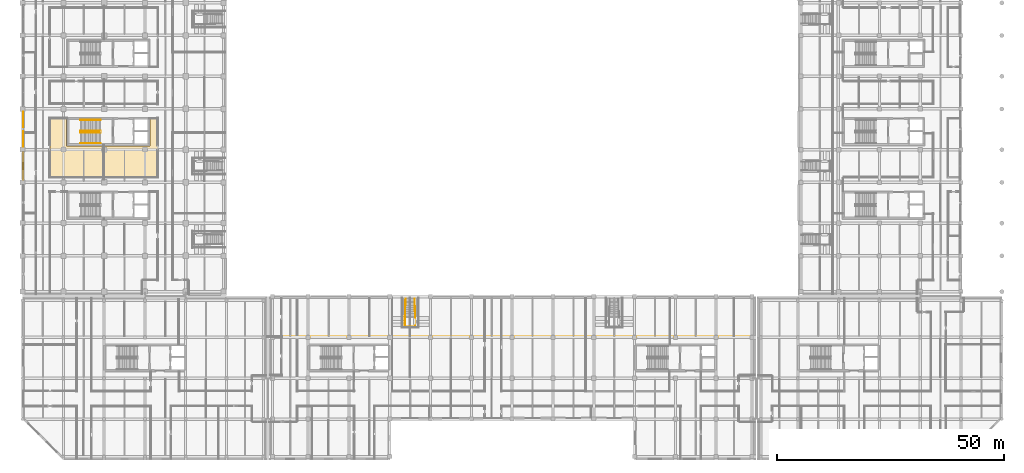
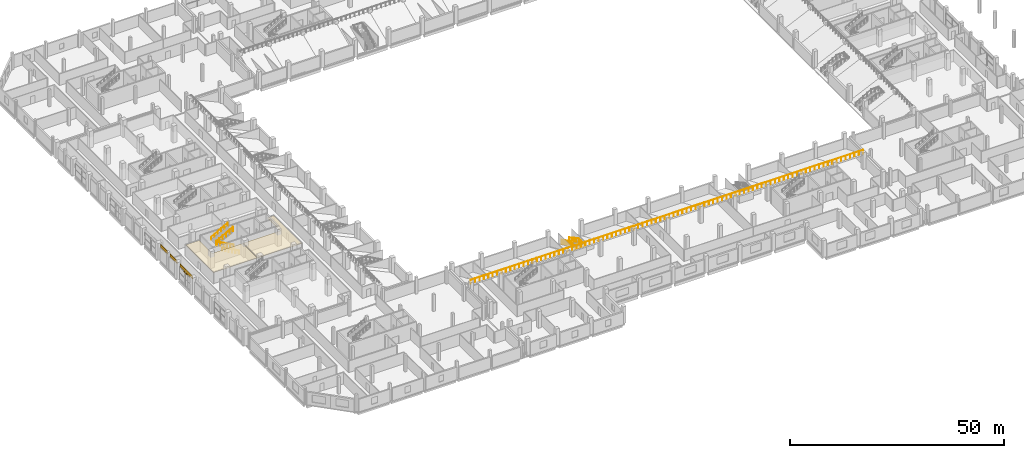
# One storey, part 80 of 100: 5 coverings, 5 railings, 1 shading device.
"""IFC4 building model written with IfcOpenShell, lengths in metres."""

from ifc_helpers import new_model, si_unit, direction, frame, origin, origin_2d, place, context, subcontext, project, spatial, polyline, rectangle, circle, outline, extrude, material, layer, layer_set, type_object, element, save


model = new_model("IFC4")

# Units and contexts
model_context = context("Model", 3, precision=1e-05, world=origin(), true_north=direction((0.0, 1.0)))
body_context = subcontext(model_context, "Body", "Model", "MODEL_VIEW")
ifc_project = project(units=[si_unit("LENGTHUNIT", "METRE"), si_unit("AREAUNIT", "SQUARE_METRE"), si_unit("VOLUMEUNIT", "CUBIC_METRE"), si_unit("PLANEANGLEUNIT", "RADIAN"), si_unit("MASSUNIT", "GRAM", prefix="KILO"), si_unit("THERMODYNAMICTEMPERATUREUNIT", "KELVIN"), si_unit("POWERUNIT", "WATT")], contexts=[model_context])

# Site, building, storey
site_placement = place(None, origin())
site = spatial("IfcSite", under=ifc_project, at=site_placement, CompositionType="ELEMENT")
building_placement = place(site_placement, origin())
building = spatial("IfcBuilding", under=site, at=building_placement, Name="Sindhuravela Promenade Stadium", CompositionType="ELEMENT")
storey_placement = place(building_placement, frame((0.0, 0.0, 4.800048828125)))
storey = spatial("IfcBuildingStorey", under=building, at=storey_placement, Name="L01", CompositionType="ELEMENT", Elevation=4.800048828125)

# Coverings
ifc_material_1 = material(Name="Acoustic mineral-fibre ceiling tile", Category="gypsum")
ifc_layer_1 = layer(ifc_material_1, 0.044921875)
ifc_layer_set_1 = layer_set([ifc_layer_1], Name="Acoustic mineral-fibre ceiling tile")
covering_type_1 = type_object("IfcCoveringType", Name="CV-CEIL-2", PredefinedType="CEILING", material=ifc_layer_set_1)
covering_1_placement = place(storey_placement, frame((0.0, 0.0, 3.050048828125)))
element("IfcCovering", 1, at=covering_1_placement, inside=storey, type_object=covering_type_1, Name="Acoustic ceiling Supporters Refreshment Kiosk W2 4", PredefinedType="CEILING", context=body_context, shape_type="SweptSolid", body=[
    extrude(outline(polyline([(6.0400390625, 62.27001953125), (6.0380859375, 62.27001953125), (6.0361328125, 62.2705078125), (6.0341796875, 62.27099609375), (6.0322265625, 62.271484375), (6.030517578125, 62.2724609375), (6.02880859375, 62.2734375), (6.02734375, 62.2744140625), (6.02587890625, 62.27587890625), (6.0244140625, 62.27734375), (6.0234375, 62.27880859375), (6.0224609375, 62.280517578125), (6.021484375, 62.2822265625), (6.02099609375, 62.2841796875), (6.0205078125, 62.2861328125), (6.02001953125, 62.2880859375), (6.02001953125, 62.2900390625), (6.02001953125, 75.31005859375), (6.02001953125, 75.31201171875), (6.0205078125, 75.31396484375), (6.02099609375, 75.31591796875), (6.021484375, 75.317626953125), (6.0224609375, 75.3193359375), (6.0234375, 75.321044921875), (6.0244140625, 75.32275390625), (6.02587890625, 75.32421875), (6.02734375, 75.325439453125), (6.02880859375, 75.32666015625), (6.030517578125, 75.32763671875), (6.0322265625, 75.32861328125), (6.0341796875, 75.3291015625), (6.0361328125, 75.32958984375), (6.0380859375, 75.329833984375), (6.0400390625, 75.330078125), (9.699951171875, 75.330078125), (9.701904296875, 75.329833984375), (9.703857421875, 75.32958984375), (9.705810546875, 75.3291015625), (9.707763671875, 75.32861328125), (9.70947265625, 75.32763671875), (9.711181640625, 75.32666015625), (9.712646484375, 75.325439453125), (9.714111328125, 75.32421875), (9.715576171875, 75.32275390625), (9.716552734375, 75.321044921875), (9.717529296875, 75.3193359375), (9.718505859375, 75.317626953125), (9.718994140625, 75.31591796875), (9.719482421875, 75.31396484375), (9.719970703125, 75.31201171875), (9.719970703125, 75.31005859375), (9.719970703125, 69.219970703125), (17.830078125, 69.219970703125), (17.83203125, 69.219970703125), (17.833984375, 69.219482421875), (17.835693359375, 69.218994140625), (17.837646484375, 69.218505859375), (17.83935546875, 69.217529296875), (17.841064453125, 69.216552734375), (17.8427734375, 69.215576171875), (17.843994140625, 69.214111328125), (17.845458984375, 69.212646484375), (17.8466796875, 69.211181640625), (17.84765625, 69.20947265625), (17.848388671875, 69.207763671875), (17.84912109375, 69.205810546875), (17.849609375, 69.203857421875), (17.849853515625, 69.201904296875), (17.85009765625, 69.199951171875), (17.85009765625, 62.2900390625), (17.849853515625, 62.2880859375), (17.849609375, 62.2861328125), (17.84912109375, 62.2841796875), (17.848388671875, 62.2822265625), (17.84765625, 62.280517578125), (17.8466796875, 62.27880859375), (17.845458984375, 62.27734375), (17.843994140625, 62.27587890625), (17.8427734375, 62.2744140625), (17.841064453125, 62.2734375), (17.83935546875, 62.2724609375), (17.837646484375, 62.271484375), (17.835693359375, 62.27099609375), (17.833984375, 62.2705078125), (17.83203125, 62.27001953125), (17.830078125, 62.27001953125), (6.0400390625, 62.27001953125)])), origin(), (0.0, 0.0, 1.0), 0.044921875),
])
covering_2_placement = place(storey_placement, frame((0.0, 0.0, 3.050048828125)))
element("IfcCovering", 2, at=covering_2_placement, inside=storey, type_object=covering_type_1, Name="Acoustic ceiling Spectator First Aid Room L01 6", PredefinedType="CEILING", context=body_context, shape_type="SweptSolid", body=[
    extrude(outline(polyline([(28.080078125, 75.31005859375), (28.080078125, 75.31201171875), (28.080322265625, 75.31396484375), (28.080810546875, 75.31591796875), (28.08154296875, 75.317626953125), (28.08251953125, 75.3193359375), (28.08349609375, 75.321044921875), (28.08447265625, 75.32275390625), (28.0859375, 75.32421875), (28.08740234375, 75.325439453125), (28.0888671875, 75.32666015625), (28.090576171875, 75.32763671875), (28.09228515625, 75.32861328125), (28.09423828125, 75.3291015625), (28.09619140625, 75.32958984375), (28.097900390625, 75.329833984375), (28.10009765625, 75.330078125), (29.860107421875, 75.330078125), (29.862060546875, 75.329833984375), (29.864013671875, 75.32958984375), (29.86572265625, 75.3291015625), (29.86767578125, 75.32861328125), (29.869384765625, 75.32763671875), (29.87109375, 75.32666015625), (29.872802734375, 75.325439453125), (29.8740234375, 75.32421875), (29.87548828125, 75.32275390625), (29.876708984375, 75.321044921875), (29.877685546875, 75.3193359375), (29.87841796875, 75.317626953125), (29.879150390625, 75.31591796875), (29.879638671875, 75.31396484375), (29.8798828125, 75.31201171875), (29.8798828125, 75.31005859375), (29.8798828125, 62.2900390625), (29.8798828125, 62.2880859375), (29.879638671875, 62.2861328125), (29.879150390625, 62.2841796875), (29.87841796875, 62.2822265625), (29.877685546875, 62.280517578125), (29.876708984375, 62.27880859375), (29.87548828125, 62.27734375), (29.8740234375, 62.27587890625), (29.872802734375, 62.2744140625), (29.87109375, 62.2734375), (29.869384765625, 62.2724609375), (29.86767578125, 62.271484375), (29.86572265625, 62.27099609375), (29.864013671875, 62.2705078125), (29.862060546875, 62.27001953125), (29.860107421875, 62.27001953125), (18.070068359375, 62.27001953125), (18.068115234375, 62.27001953125), (18.066162109375, 62.2705078125), (18.064208984375, 62.27099609375), (18.062255859375, 62.271484375), (18.060546875, 62.2724609375), (18.058837890625, 62.2734375), (18.057373046875, 62.2744140625), (18.055908203125, 62.27587890625), (18.054443359375, 62.27734375), (18.053466796875, 62.27880859375), (18.052490234375, 62.280517578125), (18.051513671875, 62.2822265625), (18.05078125, 62.2841796875), (18.05029296875, 62.2861328125), (18.050048828125, 62.2880859375), (18.050048828125, 62.2900390625), (18.050048828125, 69.199951171875), (18.050048828125, 69.201904296875), (18.05029296875, 69.203857421875), (18.05078125, 69.205810546875), (18.051513671875, 69.207763671875), (18.052490234375, 69.20947265625), (18.053466796875, 69.211181640625), (18.054443359375, 69.212646484375), (18.055908203125, 69.214111328125), (18.057373046875, 69.215576171875), (18.058837890625, 69.216552734375), (18.060546875, 69.217529296875), (18.062255859375, 69.218505859375), (18.064208984375, 69.218994140625), (18.066162109375, 69.219482421875), (18.068115234375, 69.219970703125), (18.070068359375, 69.219970703125), (28.080078125, 69.219970703125), (28.080078125, 75.31005859375)])), origin(), (0.0, 0.0, 1.0), 0.044921875),
])
ifc_material_2 = material(Name="Polychrome trencadis ceramic mosaic", Category="masonry")
ifc_layer_2 = layer(ifc_material_2, 0.034912109375)
ifc_layer_set_2 = layer_set([ifc_layer_2], Name="Polychrome trencadis ceramic mosaic")
covering_type_2 = type_object("IfcCoveringType", Name="CV-TRENC-1", PredefinedType="CLADDING", material=ifc_layer_set_2)
covering_3_placement = place(storey_placement, frame((0.179931640625, 70.75, 3.55517578125), z_axis=(0.0, 0.0, 1.0), x_axis=(0.0, 1.0, 0.0)))
element("IfcCovering", 3, at=covering_3_placement, inside=storey, type_object=covering_type_2, Name="Trencadis ceramic mosaic spandrel frieze WEST L01-18", PredefinedType="CLADDING", context=body_context, shape_type="SweptSolid", body=[
    extrude(rectangle(XDim=3.469970703125, YDim=0.034912109375, at=origin_2d()), origin(), (0.0, 0.0, 1.0), 0.905029296875),
])
ifc_layer_3 = layer(ifc_material_2, 0.050048828125)
ifc_layer_set_3 = layer_set([ifc_layer_3], Name="Polychrome trencadis ceramic mosaic")
covering_type_3 = type_object("IfcCoveringType", Name="CV-TRENC-2", PredefinedType="CLADDING", material=ifc_layer_set_3)
covering_4_placement = place(storey_placement, frame((0.179931640625, 64.800048828125, 3.55517578125), z_axis=(0.0, 0.0, 1.0), x_axis=(0.0, 1.0, 0.0)))
element("IfcCovering", 4, at=covering_4_placement, inside=storey, type_object=covering_type_3, Name="Trencadis ceramic mosaic spandrel frieze WEST L01-17", PredefinedType="CLADDING", context=body_context, shape_type="SweptSolid", body=[
    extrude(rectangle(XDim=5.969970703125, YDim=0.050048828125, at=origin_2d()), origin(), (0.0, 0.0, 1.0), 0.905029296875),
])
covering_5_placement = place(storey_placement, frame((0.179931640625, 75.050048828125, 3.55517578125), z_axis=(0.0, 0.0, 1.0), x_axis=(0.0, 1.0, 0.0)))
element("IfcCovering", 5, at=covering_5_placement, inside=storey, type_object=covering_type_3, Name="Trencadis ceramic mosaic spandrel frieze WEST L01-19", PredefinedType="CLADDING", context=body_context, shape_type="SweptSolid", body=[
    extrude(rectangle(XDim=3.469970703125, YDim=0.050048828125, at=origin_2d()), origin(), (0.0, 0.0, 1.0), 0.905029296875),
])

# Railings
ifc_material_3 = material(Name="Architectural wrought steel E350", Category="steel")
railing_type_1 = type_object("IfcRailingType", Name="RL-GRD-1150", PredefinedType="GUARDRAIL", material=ifc_material_3)
railing_1_placement = place(storey_placement, frame((55.10009765625, 27.14990234375, 4.050048828125)))
element("IfcRailing", 6, at=railing_1_placement, inside=storey, type_object=railing_type_1, Name="Stand bowl crowd barrier GR01-98", PredefinedType="GUARDRAIL", context=body_context, shape_type="SweptSolid", body=[
    extrude(circle(Radius=0.02392578125, at=origin_2d()), frame((0.0, 0.0, 1.1259765625), z_axis=(1.0, 0.0, 0.0), x_axis=(0.0, 1.0, 0.0)), (0.0, 0.0, 1.0), 105.7998046875),
    extrude(circle(Radius=0.02099609375, at=origin_2d()), origin(), (0.0, 0.0, 1.0), 1.101806640625),
    extrude(circle(Radius=0.02099609375, at=origin_2d()), frame((1.188720703125, 0.0, 0.0)), (0.0, 0.0, 1.0), 1.101806640625),
    extrude(circle(Radius=0.02099609375, at=origin_2d()), frame((2.37744140625, 0.0, 0.0)), (0.0, 0.0, 1.0), 1.101806640625),
    extrude(circle(Radius=0.02099609375, at=origin_2d()), frame((3.56640625, 0.0, 0.0)), (0.0, 0.0, 1.0), 1.101806640625),
    extrude(circle(Radius=0.02099609375, at=origin_2d()), frame((4.755126953125, 0.0, 0.0)), (0.0, 0.0, 1.0), 1.101806640625),
    extrude(circle(Radius=0.02099609375, at=origin_2d()), frame((5.94384765625, 0.0, 0.0)), (0.0, 0.0, 1.0), 1.101806640625),
    extrude(circle(Radius=0.02099609375, at=origin_2d()), frame((7.132568359375, 0.0, 0.0)), (0.0, 0.0, 1.0), 1.101806640625),
    extrude(circle(Radius=0.02099609375, at=origin_2d()), frame((8.3212890625, 0.0, 0.0)), (0.0, 0.0, 1.0), 1.101806640625),
    extrude(circle(Radius=0.02099609375, at=origin_2d()), frame((9.510009765625, 0.0, 0.0)), (0.0, 0.0, 1.0), 1.101806640625),
    extrude(circle(Radius=0.02099609375, at=origin_2d()), frame((10.698974609375, 0.0, 0.0)), (0.0, 0.0, 1.0), 1.101806640625),
    extrude(circle(Radius=0.02099609375, at=origin_2d()), frame((11.8876953125, 0.0, 0.0)), (0.0, 0.0, 1.0), 1.101806640625),
    extrude(circle(Radius=0.02099609375, at=origin_2d()), frame((13.076416015625, 0.0, 0.0)), (0.0, 0.0, 1.0), 1.101806640625),
    extrude(circle(Radius=0.02099609375, at=origin_2d()), frame((14.26513671875, 0.0, 0.0)), (0.0, 0.0, 1.0), 1.101806640625),
    extrude(circle(Radius=0.02099609375, at=origin_2d()), frame((15.453857421875, 0.0, 0.0)), (0.0, 0.0, 1.0), 1.101806640625),
    extrude(circle(Radius=0.02099609375, at=origin_2d()), frame((16.642578125, 0.0, 0.0)), (0.0, 0.0, 1.0), 1.101806640625),
    extrude(circle(Radius=0.02099609375, at=origin_2d()), frame((17.83154296875, 0.0, 0.0)), (0.0, 0.0, 1.0), 1.101806640625),
    extrude(circle(Radius=0.02099609375, at=origin_2d()), frame((19.020263671875, 0.0, 0.0)), (0.0, 0.0, 1.0), 1.101806640625),
    extrude(circle(Radius=0.02099609375, at=origin_2d()), frame((20.208984375, 0.0, 0.0)), (0.0, 0.0, 1.0), 1.101806640625),
    extrude(circle(Radius=0.02099609375, at=origin_2d()), frame((21.397705078125, 0.0, 0.0)), (0.0, 0.0, 1.0), 1.101806640625),
    extrude(circle(Radius=0.02099609375, at=origin_2d()), frame((22.58642578125, 0.0, 0.0)), (0.0, 0.0, 1.0), 1.101806640625),
    extrude(circle(Radius=0.02099609375, at=origin_2d()), frame((23.775146484375, 0.0, 0.0)), (0.0, 0.0, 1.0), 1.101806640625),
    extrude(circle(Radius=0.02099609375, at=origin_2d()), frame((24.964111328125, 0.0, 0.0)), (0.0, 0.0, 1.0), 1.101806640625),
    extrude(circle(Radius=0.02099609375, at=origin_2d()), frame((26.15283203125, 0.0, 0.0)), (0.0, 0.0, 1.0), 1.101806640625),
    extrude(circle(Radius=0.02099609375, at=origin_2d()), frame((27.341552734375, 0.0, 0.0)), (0.0, 0.0, 1.0), 1.101806640625),
    extrude(circle(Radius=0.02099609375, at=origin_2d()), frame((28.5302734375, 0.0, 0.0)), (0.0, 0.0, 1.0), 1.101806640625),
    extrude(circle(Radius=0.02099609375, at=origin_2d()), frame((29.718994140625, 0.0, 0.0)), (0.0, 0.0, 1.0), 1.101806640625),
    extrude(circle(Radius=0.02099609375, at=origin_2d()), frame((30.90771484375, 0.0, 0.0)), (0.0, 0.0, 1.0), 1.101806640625),
    extrude(circle(Radius=0.02099609375, at=origin_2d()), frame((32.0966796875, 0.0, 0.0)), (0.0, 0.0, 1.0), 1.101806640625),
    extrude(circle(Radius=0.02099609375, at=origin_2d()), frame((33.285400390625, 0.0, 0.0)), (0.0, 0.0, 1.0), 1.101806640625),
    extrude(circle(Radius=0.02099609375, at=origin_2d()), frame((34.47412109375, 0.0, 0.0)), (0.0, 0.0, 1.0), 1.101806640625),
    extrude(circle(Radius=0.02099609375, at=origin_2d()), frame((35.662841796875, 0.0, 0.0)), (0.0, 0.0, 1.0), 1.101806640625),
    extrude(circle(Radius=0.02099609375, at=origin_2d()), frame((36.8515625, 0.0, 0.0)), (0.0, 0.0, 1.0), 1.101806640625),
    extrude(circle(Radius=0.02099609375, at=origin_2d()), frame((38.040283203125, 0.0, 0.0)), (0.0, 0.0, 1.0), 1.101806640625),
    extrude(circle(Radius=0.02099609375, at=origin_2d()), frame((39.229248046875, 0.0, 0.0)), (0.0, 0.0, 1.0), 1.101806640625),
    extrude(circle(Radius=0.02099609375, at=origin_2d()), frame((40.41796875, 0.0, 0.0)), (0.0, 0.0, 1.0), 1.101806640625),
    extrude(circle(Radius=0.02099609375, at=origin_2d()), frame((41.606689453125, 0.0, 0.0)), (0.0, 0.0, 1.0), 1.101806640625),
    extrude(circle(Radius=0.02099609375, at=origin_2d()), frame((42.79541015625, 0.0, 0.0)), (0.0, 0.0, 1.0), 1.101806640625),
    extrude(circle(Radius=0.02099609375, at=origin_2d()), frame((43.984130859375, 0.0, 0.0)), (0.0, 0.0, 1.0), 1.101806640625),
    extrude(circle(Radius=0.02099609375, at=origin_2d()), frame((45.1728515625, 0.0, 0.0)), (0.0, 0.0, 1.0), 1.101806640625),
    extrude(circle(Radius=0.02099609375, at=origin_2d()), frame((46.36181640625, 0.0, 0.0)), (0.0, 0.0, 1.0), 1.101806640625),
    extrude(circle(Radius=0.02099609375, at=origin_2d()), frame((47.550537109375, 0.0, 0.0)), (0.0, 0.0, 1.0), 1.101806640625),
    extrude(circle(Radius=0.02099609375, at=origin_2d()), frame((48.7392578125, 0.0, 0.0)), (0.0, 0.0, 1.0), 1.101806640625),
    extrude(circle(Radius=0.02099609375, at=origin_2d()), frame((49.927978515625, 0.0, 0.0)), (0.0, 0.0, 1.0), 1.101806640625),
    extrude(circle(Radius=0.02099609375, at=origin_2d()), frame((51.11669921875, 0.0, 0.0)), (0.0, 0.0, 1.0), 1.101806640625),
    extrude(circle(Radius=0.02099609375, at=origin_2d()), frame((52.305419921875, 0.0, 0.0)), (0.0, 0.0, 1.0), 1.101806640625),
    extrude(circle(Radius=0.02099609375, at=origin_2d()), frame((53.494384765625, 0.0, 0.0)), (0.0, 0.0, 1.0), 1.101806640625),
    extrude(circle(Radius=0.02099609375, at=origin_2d()), frame((54.68310546875, 0.0, 0.0)), (0.0, 0.0, 1.0), 1.101806640625),
    extrude(circle(Radius=0.02099609375, at=origin_2d()), frame((55.871826171875, 0.0, 0.0)), (0.0, 0.0, 1.0), 1.101806640625),
    extrude(circle(Radius=0.02099609375, at=origin_2d()), frame((57.060546875, 0.0, 0.0)), (0.0, 0.0, 1.0), 1.101806640625),
    extrude(circle(Radius=0.02099609375, at=origin_2d()), frame((58.249267578125, 0.0, 0.0)), (0.0, 0.0, 1.0), 1.101806640625),
    extrude(circle(Radius=0.02099609375, at=origin_2d()), frame((59.43798828125, 0.0, 0.0)), (0.0, 0.0, 1.0), 1.101806640625),
    extrude(circle(Radius=0.02099609375, at=origin_2d()), frame((60.626953125, 0.0, 0.0)), (0.0, 0.0, 1.0), 1.101806640625),
    extrude(circle(Radius=0.02099609375, at=origin_2d()), frame((61.815673828125, 0.0, 0.0)), (0.0, 0.0, 1.0), 1.101806640625),
    extrude(circle(Radius=0.02099609375, at=origin_2d()), frame((63.00439453125, 0.0, 0.0)), (0.0, 0.0, 1.0), 1.101806640625),
    extrude(circle(Radius=0.02099609375, at=origin_2d()), frame((64.193115234375, 0.0, 0.0)), (0.0, 0.0, 1.0), 1.101806640625),
    extrude(circle(Radius=0.02099609375, at=origin_2d()), frame((65.3818359375, 0.0, 0.0)), (0.0, 0.0, 1.0), 1.101806640625),
    extrude(circle(Radius=0.02099609375, at=origin_2d()), frame((66.570556640625, 0.0, 0.0)), (0.0, 0.0, 1.0), 1.101806640625),
    extrude(circle(Radius=0.02099609375, at=origin_2d()), frame((67.759521484375, 0.0, 0.0)), (0.0, 0.0, 1.0), 1.101806640625),
    extrude(circle(Radius=0.02099609375, at=origin_2d()), frame((68.9482421875, 0.0, 0.0)), (0.0, 0.0, 1.0), 1.101806640625),
    extrude(circle(Radius=0.02099609375, at=origin_2d()), frame((70.136962890625, 0.0, 0.0)), (0.0, 0.0, 1.0), 1.101806640625),
    extrude(circle(Radius=0.02099609375, at=origin_2d()), frame((71.32568359375, 0.0, 0.0)), (0.0, 0.0, 1.0), 1.101806640625),
    extrude(circle(Radius=0.02099609375, at=origin_2d()), frame((72.514404296875, 0.0, 0.0)), (0.0, 0.0, 1.0), 1.101806640625),
    extrude(circle(Radius=0.02099609375, at=origin_2d()), frame((73.703125, 0.0, 0.0)), (0.0, 0.0, 1.0), 1.101806640625),
    extrude(circle(Radius=0.02099609375, at=origin_2d()), frame((74.89208984375, 0.0, 0.0)), (0.0, 0.0, 1.0), 1.101806640625),
    extrude(circle(Radius=0.02099609375, at=origin_2d()), frame((76.080810546875, 0.0, 0.0)), (0.0, 0.0, 1.0), 1.101806640625),
    extrude(circle(Radius=0.02099609375, at=origin_2d()), frame((77.26953125, 0.0, 0.0)), (0.0, 0.0, 1.0), 1.101806640625),
    extrude(circle(Radius=0.02099609375, at=origin_2d()), frame((78.458251953125, 0.0, 0.0)), (0.0, 0.0, 1.0), 1.101806640625),
    extrude(circle(Radius=0.02099609375, at=origin_2d()), frame((79.64697265625, 0.0, 0.0)), (0.0, 0.0, 1.0), 1.101806640625),
    extrude(circle(Radius=0.02099609375, at=origin_2d()), frame((80.835693359375, 0.0, 0.0)), (0.0, 0.0, 1.0), 1.101806640625),
    extrude(circle(Radius=0.02099609375, at=origin_2d()), frame((82.024658203125, 0.0, 0.0)), (0.0, 0.0, 1.0), 1.101806640625),
    extrude(circle(Radius=0.02099609375, at=origin_2d()), frame((83.21337890625, 0.0, 0.0)), (0.0, 0.0, 1.0), 1.101806640625),
    extrude(circle(Radius=0.02099609375, at=origin_2d()), frame((84.402099609375, 0.0, 0.0)), (0.0, 0.0, 1.0), 1.101806640625),
    extrude(circle(Radius=0.02099609375, at=origin_2d()), frame((85.5908203125, 0.0, 0.0)), (0.0, 0.0, 1.0), 1.101806640625),
    extrude(circle(Radius=0.02099609375, at=origin_2d()), frame((86.779541015625, 0.0, 0.0)), (0.0, 0.0, 1.0), 1.101806640625),
    extrude(circle(Radius=0.02099609375, at=origin_2d()), frame((87.96826171875, 0.0, 0.0)), (0.0, 0.0, 1.0), 1.101806640625),
    extrude(circle(Radius=0.02099609375, at=origin_2d()), frame((89.1572265625, 0.0, 0.0)), (0.0, 0.0, 1.0), 1.101806640625),
    extrude(circle(Radius=0.02099609375, at=origin_2d()), frame((90.345947265625, 0.0, 0.0)), (0.0, 0.0, 1.0), 1.101806640625),
    extrude(circle(Radius=0.02099609375, at=origin_2d()), frame((91.53466796875, 0.0, 0.0)), (0.0, 0.0, 1.0), 1.101806640625),
    extrude(circle(Radius=0.02099609375, at=origin_2d()), frame((92.723388671875, 0.0, 0.0)), (0.0, 0.0, 1.0), 1.101806640625),
    extrude(circle(Radius=0.02099609375, at=origin_2d()), frame((93.912109375, 0.0, 0.0)), (0.0, 0.0, 1.0), 1.101806640625),
    extrude(circle(Radius=0.02099609375, at=origin_2d()), frame((95.100830078125, 0.0, 0.0)), (0.0, 0.0, 1.0), 1.101806640625),
    extrude(circle(Radius=0.02099609375, at=origin_2d()), frame((96.289794921875, 0.0, 0.0)), (0.0, 0.0, 1.0), 1.101806640625),
    extrude(circle(Radius=0.02099609375, at=origin_2d()), frame((97.478515625, 0.0, 0.0)), (0.0, 0.0, 1.0), 1.101806640625),
    extrude(circle(Radius=0.02099609375, at=origin_2d()), frame((98.667236328125, 0.0, 0.0)), (0.0, 0.0, 1.0), 1.101806640625),
    extrude(circle(Radius=0.02099609375, at=origin_2d()), frame((99.85595703125, 0.0, 0.0)), (0.0, 0.0, 1.0), 1.101806640625),
    extrude(circle(Radius=0.02099609375, at=origin_2d()), frame((101.044677734375, 0.0, 0.0)), (0.0, 0.0, 1.0), 1.101806640625),
    extrude(circle(Radius=0.02099609375, at=origin_2d()), frame((102.2333984375, 0.0, 0.0)), (0.0, 0.0, 1.0), 1.101806640625),
    extrude(circle(Radius=0.02099609375, at=origin_2d()), frame((103.42236328125, 0.0, 0.0)), (0.0, 0.0, 1.0), 1.101806640625),
    extrude(circle(Radius=0.02099609375, at=origin_2d()), frame((104.611083984375, 0.0, 0.0)), (0.0, 0.0, 1.0), 1.101806640625),
    extrude(circle(Radius=0.02099609375, at=origin_2d()), frame((105.7998046875, 0.0, 0.0)), (0.0, 0.0, 1.0), 1.101806640625),
])
railing_2_placement = place(storey_placement, frame((17.25, 72.2099609375, 0.0)))
element("IfcRailing", 7, at=railing_2_placement, inside=storey, type_object=railing_type_1, Name="Stair ST02 inner well guard (L01)", PredefinedType="GUARDRAIL", context=body_context, shape_type="SweptSolid", body=[
    extrude(circle(Radius=0.02392578125, at=origin_2d()), frame((0.0, 0.0, 1.1259765625), z_axis=(-0.8836546633431795, 0.0, 0.46813933390802775), x_axis=(0.0, -1.0, 0.0)), (0.0, 0.0, 1.0), 5.12646484375),
    extrude(circle(Radius=0.02392578125, at=origin_2d()), frame((-4.530029296875, 0.0, 3.52587890625), z_axis=(0.0, 1.0, 0.0), x_axis=(-1.0, 0.0, 0.0)), (0.0, 0.0, 1.0), 0.380126953125),
    extrude(circle(Radius=0.02392578125, at=origin_2d()), frame((-4.530029296875, 0.380126953125, 3.52587890625), z_axis=(0.8836349624059475, 0.0, 0.46817651928929505), x_axis=(0.0, 1.0, 0.0)), (0.0, 0.0, 1.0), 5.12646484375),
    extrude(circle(Radius=0.02099609375, at=origin_2d()), origin(), (0.0, 0.0, 1.0), 1.101806640625),
    extrude(circle(Radius=0.02099609375, at=origin_2d()), frame((-0.906005859375, 0.0, 0.47998046875)), (0.0, 0.0, 1.0), 1.101806640625),
    extrude(circle(Radius=0.02099609375, at=origin_2d()), frame((-1.81201171875, 0.0, 0.9599609375)), (0.0, 0.0, 1.0), 1.101806640625),
    extrude(circle(Radius=0.02099609375, at=origin_2d()), frame((-2.718017578125, 0.0, 1.43994140625)), (0.0, 0.0, 1.0), 1.101806640625),
    extrude(circle(Radius=0.02099609375, at=origin_2d()), frame((-3.6240234375, 0.0, 1.919921875)), (0.0, 0.0, 1.0), 1.101806640625),
    extrude(circle(Radius=0.02099609375, at=origin_2d()), frame((-4.530029296875, 0.0, 2.39990234375)), (0.0, 0.0, 1.0), 1.101806640625),
    extrude(circle(Radius=0.02099609375, at=origin_2d()), frame((-4.530029296875, 0.380126953125, 2.39990234375)), (0.0, 0.0, 1.0), 1.101806640625),
    extrude(circle(Radius=0.02099609375, at=origin_2d()), frame((-3.6240234375, 0.380126953125, 2.8798828125)), (0.0, 0.0, 1.0), 1.101806640625),
    extrude(circle(Radius=0.02099609375, at=origin_2d()), frame((-2.718017578125, 0.380126953125, 3.35986328125)), (0.0, 0.0, 1.0), 1.101806640625),
    extrude(circle(Radius=0.02099609375, at=origin_2d()), frame((-1.81201171875, 0.380126953125, 3.840087890625)), (0.0, 0.0, 1.0), 1.101806640625),
    extrude(circle(Radius=0.02099609375, at=origin_2d()), frame((-0.906005859375, 0.380126953125, 4.320068359375)), (0.0, 0.0, 1.0), 1.101806640625),
    extrude(circle(Radius=0.02099609375, at=origin_2d()), frame((0.0, 0.380126953125, 4.800048828125)), (0.0, 0.0, 1.0), 1.101806640625),
])
railing_3_placement = place(storey_placement, frame((84.5, 35.56005859375, 0.0)))
element("IfcRailing", 8, at=railing_3_placement, inside=storey, type_object=railing_type_1, Name="Vomitory VS11 flight & platform guard", PredefinedType="GUARDRAIL", context=body_context, shape_type="SweptSolid", body=[
    extrude(circle(Radius=0.02392578125, at=origin_2d()), frame((0.0, 0.0, 1.1259765625), z_axis=(-0.02724943279216174, -0.8811503615104481, 0.47205032445970413), x_axis=(0.9995221698767385, -0.030910061871442473, 0.0)), (0.0, 0.0, 1.0), 4.766357421875),
    extrude(circle(Radius=0.02392578125, at=origin_2d()), frame((-0.1298828125, -4.199951171875, 3.3759765625), z_axis=(0.0, -1.0, 0.0), x_axis=(1.0, 0.0, 0.0)), (0.0, 0.0, 1.0), 2.070068359375),
    extrude(circle(Radius=0.02392578125, at=origin_2d()), frame((-0.1298828125, -6.27001953125, 3.3759765625), z_axis=(1.0, 0.0, 0.0), x_axis=(0.0, 1.0, 0.0)), (0.0, 0.0, 1.0), 2.259765625),
    extrude(circle(Radius=0.02392578125, at=origin_2d()), frame((2.1298828125, -6.27001953125, 3.3759765625), z_axis=(0.0, 1.0, 0.0), x_axis=(-1.0, 0.0, 0.0)), (0.0, 0.0, 1.0), 2.070068359375),
    extrude(circle(Radius=0.02392578125, at=origin_2d()), frame((2.1298828125, -4.199951171875, 3.3759765625), z_axis=(-0.02724943279216174, 0.8811503615104481, -0.47205032445970413), x_axis=(-0.9995221698767385, -0.030910061871442473, 0.0)), (0.0, 0.0, 1.0), 4.766357421875),
    extrude(circle(Radius=0.02099609375, at=origin_2d()), origin(), (0.0, 0.0, 1.0), 1.101806640625),
    extrude(circle(Radius=0.02099609375, at=origin_2d()), frame((-0.032470703125, -1.050048828125, 0.5625)), (0.0, 0.0, 1.0), 1.101806640625),
    extrude(circle(Radius=0.02099609375, at=origin_2d()), frame((-0.06494140625, -2.10009765625, 1.125)), (0.0, 0.0, 1.0), 1.101806640625),
    extrude(circle(Radius=0.02099609375, at=origin_2d()), frame((-0.097412109375, -3.14990234375, 1.6875)), (0.0, 0.0, 1.0), 1.101806640625),
    extrude(circle(Radius=0.02099609375, at=origin_2d()), frame((-0.1298828125, -4.199951171875, 2.25)), (0.0, 0.0, 1.0), 1.101806640625),
    extrude(circle(Radius=0.02099609375, at=origin_2d()), frame((-0.1298828125, -5.23486328125, 2.25)), (0.0, 0.0, 1.0), 1.101806640625),
    extrude(circle(Radius=0.02099609375, at=origin_2d()), frame((-0.1298828125, -6.27001953125, 2.25)), (0.0, 0.0, 1.0), 1.101806640625),
    extrude(circle(Radius=0.02099609375, at=origin_2d()), frame((1.0, -6.27001953125, 2.25)), (0.0, 0.0, 1.0), 1.101806640625),
    extrude(circle(Radius=0.02099609375, at=origin_2d()), frame((2.1298828125, -6.27001953125, 2.25)), (0.0, 0.0, 1.0), 1.101806640625),
    extrude(circle(Radius=0.02099609375, at=origin_2d()), frame((2.1298828125, -5.23486328125, 2.25)), (0.0, 0.0, 1.0), 1.101806640625),
    extrude(circle(Radius=0.02099609375, at=origin_2d()), frame((2.1298828125, -4.199951171875, 2.25)), (0.0, 0.0, 1.0), 1.101806640625),
    extrude(circle(Radius=0.02099609375, at=origin_2d()), frame((2.097412109375, -3.14990234375, 1.6875)), (0.0, 0.0, 1.0), 1.101806640625),
    extrude(circle(Radius=0.02099609375, at=origin_2d()), frame((2.06494140625, -2.10009765625, 1.125)), (0.0, 0.0, 1.0), 1.101806640625),
    extrude(circle(Radius=0.02099609375, at=origin_2d()), frame((2.032470703125, -1.050048828125, 0.5625)), (0.0, 0.0, 1.0), 1.101806640625),
    extrude(circle(Radius=0.02099609375, at=origin_2d()), frame((2.0, 0.0, 0.0)), (0.0, 0.0, 1.0), 1.101806640625),
])
railing_type_2 = type_object("IfcRailingType", Name="RL-HND-920", PredefinedType="HANDRAIL", material=ifc_material_3)
railing_4_placement = place(storey_placement, frame((17.25, 69.820068359375, 0.0)))
element("IfcRailing", 9, at=railing_4_placement, inside=storey, type_object=railing_type_2, Name="Stair ST02 lower wall handrail (L01)", PredefinedType="HANDRAIL", context=body_context, shape_type="SweptSolid", body=[
    extrude(circle(Radius=0.02392578125, at=origin_2d()), frame((0.0, 0.0, 0.89599609375), z_axis=(-0.8823608919668723, 0.0, 0.4705733272588083), x_axis=(0.0, -1.0, 0.0)), (0.0, 0.0, 1.0), 5.099853515625),
    extrude(circle(Radius=0.02099609375, at=origin_2d()), origin(), (0.0, 0.0, 1.0), 0.871826171875),
    extrude(circle(Radius=0.02099609375, at=origin_2d()), frame((-0.89990234375, 0.0, 0.47998046875)), (0.0, 0.0, 1.0), 0.871826171875),
    extrude(circle(Radius=0.02099609375, at=origin_2d()), frame((-1.800048828125, 0.0, 0.9599609375)), (0.0, 0.0, 1.0), 0.871826171875),
    extrude(circle(Radius=0.02099609375, at=origin_2d()), frame((-2.699951171875, 0.0, 1.43994140625)), (0.0, 0.0, 1.0), 0.871826171875),
    extrude(circle(Radius=0.02099609375, at=origin_2d()), frame((-3.60009765625, 0.0, 1.919921875)), (0.0, 0.0, 1.0), 0.871826171875),
    extrude(circle(Radius=0.02099609375, at=origin_2d()), frame((-4.5, 0.0, 2.39990234375)), (0.0, 0.0, 1.0), 0.871826171875),
])
railing_5_placement = place(storey_placement, frame((12.75, 74.97998046875, 2.39990234375)))
element("IfcRailing", 10, at=railing_5_placement, inside=storey, type_object=railing_type_2, Name="Stair ST02 upper wall handrail (L01)", PredefinedType="HANDRAIL", context=body_context, shape_type="SweptSolid", body=[
    extrude(circle(Radius=0.02392578125, at=origin_2d()), frame((0.0, 0.0, 0.89599609375), z_axis=(0.8823410147872734, 0.0, 0.47061059659145427), x_axis=(0.0, 1.0, 0.0)), (0.0, 0.0, 1.0), 5.10009765625),
    extrude(circle(Radius=0.02099609375, at=origin_2d()), origin(), (0.0, 0.0, 1.0), 0.871826171875),
    extrude(circle(Radius=0.02099609375, at=origin_2d()), frame((0.89990234375, 0.0, 0.47998046875)), (0.0, 0.0, 1.0), 0.871826171875),
    extrude(circle(Radius=0.02099609375, at=origin_2d()), frame((1.800048828125, 0.0, 0.9599609375)), (0.0, 0.0, 1.0), 0.871826171875),
    extrude(circle(Radius=0.02099609375, at=origin_2d()), frame((2.699951171875, 0.0, 1.440185546875)), (0.0, 0.0, 1.0), 0.871826171875),
    extrude(circle(Radius=0.02099609375, at=origin_2d()), frame((3.60009765625, 0.0, 1.920166015625)), (0.0, 0.0, 1.0), 0.871826171875),
    extrude(circle(Radius=0.02099609375, at=origin_2d()), frame((4.5, 0.0, 2.400146484375)), (0.0, 0.0, 1.0), 0.871826171875),
])

# Shading device
ifc_material_4 = material(Name="Perforated terracotta celosia brick (15 MPa)", Category="masonry")
shading_device_type = type_object("IfcShadingDeviceType", Name="SH-JAL-1", PredefinedType="JALOUSIE", material=ifc_material_4)
shading_device_placement = place(storey_placement, frame((0.139892578125, 64.800048828125, 3.4599609375), z_axis=(0.0, 0.0, 1.0), x_axis=(0.0, 1.0, 0.0)))
element("IfcShadingDevice", 11, at=shading_device_placement, inside=storey, type_object=shading_device_type, Name="Terracotta solar shading louvre WEST L01-2", PredefinedType="JALOUSIE", context=body_context, shape_type="SweptSolid", body=[
    extrude(rectangle(XDim=1.580078125, YDim=0.280029296875, at=origin_2d()), origin(), (0.0, 0.0, 1.0), 0.1201171875),
])

save(model, "model.ifc")
